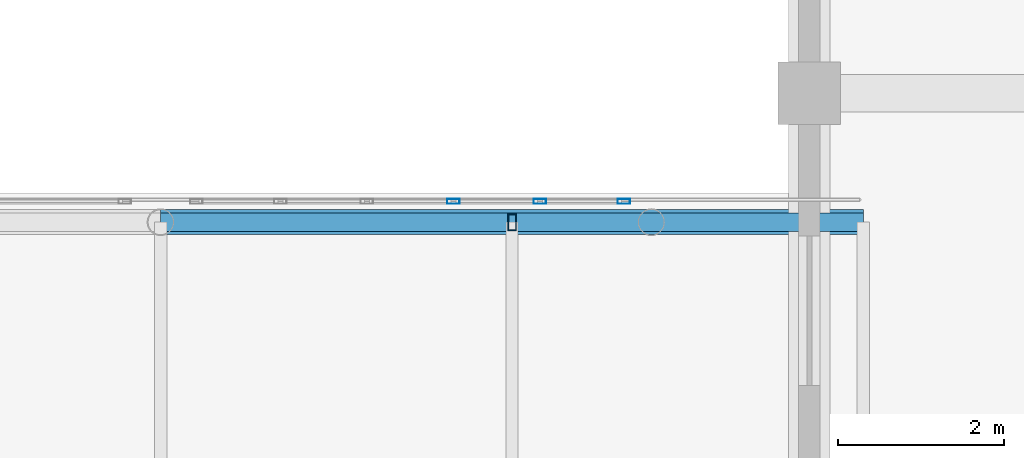
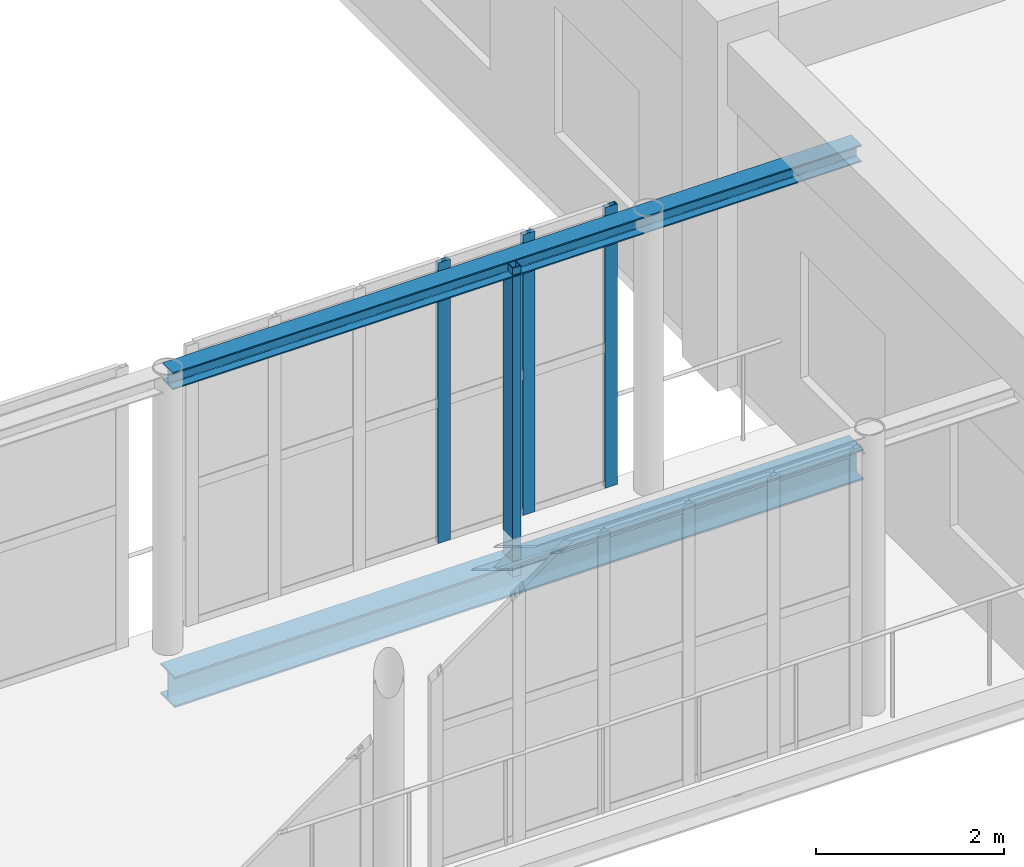
# One storey, part 83 of 175: 5 members, 1 beam, 1 element without a shape of its own.
"""IFC4 building model written with IfcOpenShell, lengths in metres."""

from ifc_helpers import new_model, si_unit, direction, frame, origin, origin_2d, place, context, subcontext, project, spatial, hollow_rectangle, i_section, extrude, material, layer, layer_set, material_profile, profile_set, type_object, element, aggregate, save


model = new_model("IFC4")

# Units and contexts
model_context = context("Model", 3, precision=1e-05, world=origin(), true_north=direction((0.0, 1.0)))
body_context = subcontext(model_context, "Body", "Model", "MODEL_VIEW")
ifc_project = project(units=[si_unit("LENGTHUNIT", "METRE"), si_unit("AREAUNIT", "SQUARE_METRE"), si_unit("VOLUMEUNIT", "CUBIC_METRE"), si_unit("PLANEANGLEUNIT", "RADIAN"), si_unit("MASSUNIT", "GRAM", prefix="KILO")], contexts=[model_context])

# Site, building, storey
site_placement = place(None, origin())
site = spatial("IfcSite", under=ifc_project, at=site_placement, CompositionType="ELEMENT")
building_placement = place(site_placement, origin())
building = spatial("IfcBuilding", under=site, at=building_placement, Name="Zizhar Promenade General Hospital", CompositionType="ELEMENT")
storey_placement = place(building_placement, frame((0.0, 0.0, 4.800048828125)))
storey = spatial("IfcBuildingStorey", under=building, at=storey_placement, Name="L01", CompositionType="ELEMENT", Elevation=4.800048828125)

# Beam
ifc_material_1 = material(Name="Steel S355", Category="steel")
ifc_material_profile_1 = material_profile(ifc_material_1, i_section(OverallWidth=0.300048828125, OverallDepth=0.39990234375, WebThickness=0.013427734375, FlangeThickness=0.02392578125, FilletRadius=0.027099609375, at=origin_2d()))
ifc_profile_set_1 = profile_set([ifc_material_profile_1], Name="Steel S355")
beam_type = type_object("IfcBeamType", Name="BM-STL-HEB400", PredefinedType="BEAM", material=ifc_profile_set_1)
beam_placement = place(storey_placement, frame((117.0, 65.64990234375, -0.5), z_axis=(1.0, 0.0, 0.0), x_axis=(0.0, 1.0, 0.0)))
element("IfcBeam", 1, at=beam_placement, inside=storey, type_object=beam_type, Name="SB-1 Bottom Chord 4N", PredefinedType="BEAM", context=body_context, shape_type="SweptSolid", body=[
    extrude(i_section(OverallWidth=0.300048828125, OverallDepth=0.39990234375, WebThickness=0.013427734375, FlangeThickness=0.02392578125, FilletRadius=0.027099609375, at=origin_2d()), origin(), (0.0, 0.0, 1.0), 8.449951171875),
])

# Curtain wall, members
ifc_material_2 = material(Name="Anodised aluminium 6063-T6 and low-E glass", Category="aluminium")
ifc_layer = layer(ifc_material_2, 0.159912109375)
ifc_layer_set = layer_set([ifc_layer], Name="Anodised aluminium 6063-T6 and low-E glass")
curtain_wall_type = type_object("IfcCurtainWallType", Name="CW-SKY-GLZ", PredefinedType="NOTDEFINED", material=ifc_layer_set)
curtain_wall_placement = place(storey_placement, origin())
curtain_wall = element("IfcCurtainWall", 2, at=curtain_wall_placement, inside=storey, type_object=curtain_wall_type, Name="Courtyard Clinical Skybridge Level L01 North Glazing 4", PredefinedType="NOTDEFINED")
ifc_material_3 = material(Name="Anodised aluminium 6063-T6", Category="aluminium")
ifc_material_profile_2 = material_profile(ifc_material_3, hollow_rectangle(XDim=0.06005859375, YDim=0.14990234375, WallThickness=0.00390625, at=origin_2d()))
ifc_profile_set_2 = profile_set([ifc_material_profile_2], Name="Anodised aluminium 6063-T6")
member_type_1 = type_object("IfcMemberType", Name="CWM-ALU-150x60", PredefinedType="MULLION", material=ifc_profile_set_2)
member_1_placement = place(storey_placement, frame((120.52001953125, 65.89990234375, 0.0), z_axis=(0.0, 0.0, 1.0), x_axis=(0.0, 1.0, 0.0)))
member_1 = element("IfcMember", 3, at=member_1_placement, type_object=member_type_1, Name="CW-15 mullion 4", PredefinedType="MULLION", context=body_context, shape_type="SweptSolid", body=[
    extrude(hollow_rectangle(XDim=0.06005859375, YDim=0.14990234375, WallThickness=0.00390625, at=origin_2d()), origin(), (0.0, 0.0, 1.0), 3.639892578125),
])
member_2_placement = place(storey_placement, frame((121.56005859375, 65.89990234375, 0.0), z_axis=(0.0, 0.0, 1.0), x_axis=(0.0, 1.0, 0.0)))
member_2 = element("IfcMember", 4, at=member_2_placement, type_object=member_type_1, Name="CW-15 mullion 5", PredefinedType="MULLION", context=body_context, shape_type="SweptSolid", body=[
    extrude(hollow_rectangle(XDim=0.06005859375, YDim=0.14990234375, WallThickness=0.00390625, at=origin_2d()), origin(), (0.0, 0.0, 1.0), 3.639892578125),
])
member_3_placement = place(storey_placement, frame((122.570068359375, 65.89990234375, 0.0), z_axis=(0.0, 0.0, 1.0), x_axis=(0.0, 1.0, 0.0)))
member_3 = element("IfcMember", 5, at=member_3_placement, type_object=member_type_1, Name="CW-15 mullion 6", PredefinedType="MULLION", context=body_context, shape_type="SweptSolid", body=[
    extrude(hollow_rectangle(XDim=0.06005859375, YDim=0.14990234375, WallThickness=0.00390625, at=origin_2d()), origin(), (0.0, 0.0, 1.0), 3.639892578125),
])
aggregate(curtain_wall, [member_1, member_2, member_3])

# Members
ifc_material_4 = material(Name="Steel S355", Category="steel")
ifc_material_profile_3 = material_profile(ifc_material_4, i_section(OverallWidth=0.219970703125, OverallDepth=0.219970703125, WebThickness=0.009521484375, FlangeThickness=0.01611328125, FilletRadius=0.01806640625, at=origin_2d()))
ifc_profile_set_3 = profile_set([ifc_material_profile_3], Name="Steel S355")
member_type_2 = type_object("IfcMemberType", Name="MEM-CHORD-HEB220", PredefinedType="CHORD", material=ifc_profile_set_3)
member_4_placement = place(storey_placement, frame((117.0, 65.64990234375, 3.510009765625), z_axis=(1.0, 0.0, 0.0), x_axis=(0.0, 1.0, 0.0)))
element("IfcMember", 6, at=member_4_placement, inside=storey, type_object=member_type_2, Name="SB-1 Top Chord 4N", PredefinedType="CHORD", context=body_context, shape_type="SweptSolid", body=[
    extrude(i_section(OverallWidth=0.219970703125, OverallDepth=0.219970703125, WebThickness=0.009521484375, FlangeThickness=0.01611328125, FilletRadius=0.01806640625, at=origin_2d()), origin(), (0.0, 0.0, 1.0), 8.449951171875),
])
ifc_material_5 = material(Name="Steel S355", Category="steel")
ifc_material_profile_4 = material_profile(ifc_material_5, hollow_rectangle(XDim=0.10009765625, YDim=0.199951171875, WallThickness=0.008056640625, at=origin_2d()))
ifc_profile_set_4 = profile_set([ifc_material_profile_4], Name="Steel S355")
member_type_3 = type_object("IfcMemberType", Name="MEM-STRUT-RHS200", PredefinedType="STRUT", material=ifc_profile_set_4)
member_5_placement = place(storey_placement, frame((121.22509765625, 65.64990234375, -0.5), z_axis=(0.0, 0.0, 1.0), x_axis=(1.0, 0.0, 0.0)))
element("IfcMember", 7, at=member_5_placement, inside=storey, type_object=member_type_3, Name="SB-1 Vierendeel Post 4N", PredefinedType="STRUT", context=body_context, shape_type="SweptSolid", body=[
    extrude(hollow_rectangle(XDim=0.10009765625, YDim=0.199951171875, WallThickness=0.008056640625, at=origin_2d()), origin(), (0.0, 0.0, 1.0), 4.010009765625),
])

save(model, "model.ifc")
